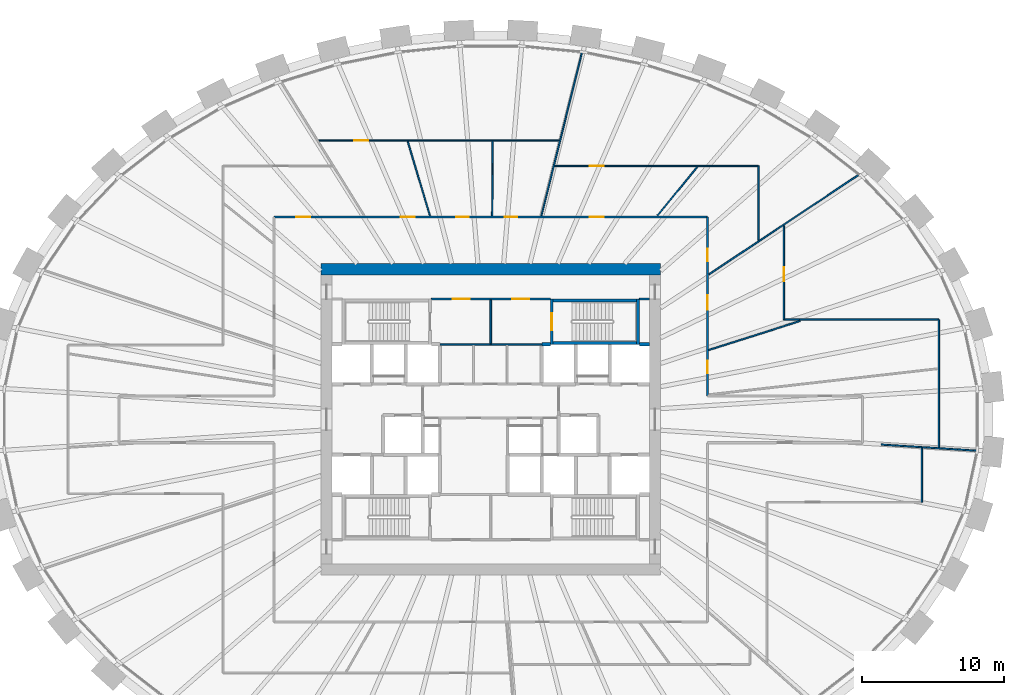
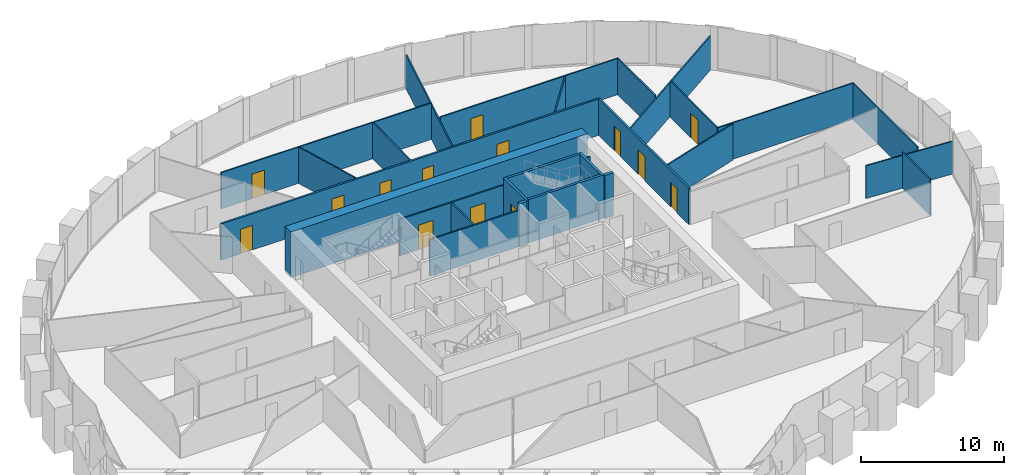
# One storey, part 9 of 11: 27 walls, 14 doors, 14 openings.
"""IFC4 building model written with IfcOpenShell, lengths in metres."""

from ifc_helpers import new_model, si_unit, direction, frame, frame_2d, origin, place, context, subcontext, project, spatial, rectangle, extrude, source, transform, mapped, material, layer, layer_set, type_object, element, fill, save


model = new_model("IFC4")

# Units and contexts
model_context = context("Model", 3, precision=1e-05, world=origin(), true_north=direction((0.0, 1.0)))
body_context = subcontext(model_context, "Body", "Model", "MODEL_VIEW")
ifc_project = project(units=[si_unit("LENGTHUNIT", "METRE"), si_unit("AREAUNIT", "SQUARE_METRE"), si_unit("VOLUMEUNIT", "CUBIC_METRE"), si_unit("PLANEANGLEUNIT", "RADIAN"), si_unit("MASSUNIT", "GRAM", prefix="KILO")], contexts=[model_context])

# Site, building, storey
site_placement = place(None, origin())
site = spatial("IfcSite", under=ifc_project, at=site_placement, CompositionType="ELEMENT")
building_placement = place(site_placement, origin())
building = spatial("IfcBuilding", under=site, at=building_placement, Name="Embergate Tower", CompositionType="ELEMENT")
storey_placement = place(building_placement, frame((0.0, 0.0, 211.199951171875)))
storey = spatial("IfcBuildingStorey", under=building, at=storey_placement, Name="L48", CompositionType="ELEMENT", Elevation=211.199951171875)

# Walls
ifc_material_1 = material(Name="Concrete C70", Category="concrete")
ifc_layer_1 = layer(ifc_material_1, 0.800048828125)
ifc_layer_set_1 = layer_set([ifc_layer_1], Name="Concrete C70")
wall_type_1 = type_object("IfcWallType", Name="Core outer wall C70 800", PredefinedType="SHEAR", material=ifc_layer_set_1)
shared_shape_1 = source(origin(), body_context, "Body", "SweptSolid", [
    extrude(rectangle(XDim=24.0, YDim=0.800048828125, at=frame_2d((12.0, 0.0))), origin(), (0.0, 0.0, 1.0), 3.89990234375),
])
wall_1_placement = place(storey_placement, frame((-12.0, 10.60009765625, -0.199951171875), z_axis=(0.0, 0.0, 1.0), x_axis=(1.0, 0.0, 0.0)))
element("IfcWall", 1, at=wall_1_placement, inside=storey, type_object=wall_type_1, Name="CW-L48-N", PredefinedType="SHEAR", context=body_context, shape_type="MappedRepresentation", body=[
    mapped(shared_shape_1, transform((0.0, 0.0, 0.0))),
])
ifc_material_2 = material(Name="Concrete C50", Category="concrete")
ifc_layer_2 = layer(ifc_material_2, 0.199951171875)
ifc_layer_set_2 = layer_set([ifc_layer_2], Name="Concrete C50")
wall_type_2 = type_object("IfcWallType", Name="Stair enclosure wall reinforced concrete 250", PredefinedType="SHEAR", material=ifc_layer_set_2)
shared_shape_2 = source(origin(), body_context, "Body", "SweptSolid", [
    extrude(rectangle(XDim=6.300048828125, YDim=0.199951171875, at=frame_2d((3.14990234375, 0.0))), origin(), (0.0, 0.0, 1.0), 3.699951171875),
])
for number, where, z_axis, x_axis, name in (
    (2, (10.5, 5.39990234375, 0.0), (0.0, 0.0, 1.0), (-1.0, 0.0, 0.0), "SE-1 wall"),
    (3, (10.5, 8.39990234375, 0.0), (0.0, 0.0, 1.0), (-1.0, 0.0, 0.0), "SE-1 wall"),
):
    element("IfcWall", number, at=place(storey_placement, frame(where, z_axis=z_axis, x_axis=x_axis)), inside=storey, type_object=wall_type_2, Name=name, PredefinedType="SHEAR", context=body_context, shape_type="MappedRepresentation", body=[
        mapped(shared_shape_2, transform((0.0, 0.0, 0.0))),
    ])

# Wall, opening, door
shared_shape_3 = source(origin(), body_context, "Body", "SweptSolid", [
    extrude(rectangle(XDim=3.199951171875, YDim=0.199951171875, at=frame_2d((1.60009765625, 0.0))), origin(), (0.0, 0.0, 1.0), 3.699951171875),
])
wall_2_placement = place(storey_placement, frame((4.300048828125, 8.5, 0.0), z_axis=(0.0, 0.0, 1.0), x_axis=(0.0, -1.0, 0.0)))
wall_2 = element("IfcWall", 4, at=wall_2_placement, inside=storey, type_object=wall_type_2, Name="SE-1 wall", PredefinedType="SHEAR", context=body_context, shape_type="MappedRepresentation", body=[
    mapped(shared_shape_3, transform((0.0, 0.0, 0.0))),
])
shared_shape_4 = source(origin(), body_context, "Body", "SweptSolid", [
    extrude(rectangle(XDim=1.199951171875, YDim=2.10009765625, at=frame_2d((0.60009765625, 1.050048828125))), frame((0.0, 0.10986328125, 0.0), z_axis=(0.0, -1.0, 0.0), x_axis=(1.0, 0.0, 0.0)), (0.0, 0.0, 1.0), 0.219970703125),
])
opening_1_placement = place(wall_2_placement, frame((1.0, 0.0, 0.0)))
opening_1 = element("IfcOpeningElement", 5, at=opening_1_placement, cuts=wall_2, Name="Opening IF-2", PredefinedType="OPENING", context=body_context, shape_type="MappedRepresentation", body=[
    mapped(shared_shape_4, transform((0.0, 0.0, 0.0))),
])
ifc_material_3 = material(Name="Stair enclosure door 1200")
door_type_1 = type_object("IfcDoorType", Name="Stair enclosure door 1200", OperationType="SINGLE_SWING_LEFT", PredefinedType="DOOR", material=ifc_material_3)
shared_shape_5 = source(origin(), body_context, "Body", "SweptSolid", [
    extrude(rectangle(XDim=1.199951171875, YDim=2.10009765625, at=frame_2d((0.60009765625, 1.050048828125))), frame((0.0, 0.02490234375, 0.0), z_axis=(0.0, -1.0, 0.0), x_axis=(1.0, 0.0, 0.0)), (0.0, 0.0, 1.0), 0.050048828125),
])
door_1_placement = place(opening_1_placement, origin())
door_1 = element("IfcDoor", 6, at=door_1_placement, inside=storey, type_object=door_type_1, Name="IF-2 door", OperationType="SINGLE_SWING_RIGHT", OverallHeight=2.10009765625, OverallWidth=1.199951171875, PredefinedType="DOOR", context=body_context, shape_type="MappedRepresentation", body=[
    mapped(shared_shape_5, transform((0.0, 0.0, 0.0))),
])
fill(opening_1, door_1)

# Wall, openings, doors
ifc_material_4 = material(Name="Core partition blockwork 120")
ifc_layer_3 = layer(ifc_material_4, 0.1201171875)
ifc_layer_set_3 = layer_set([ifc_layer_3], Name="Core partition blockwork 120")
wall_type_3 = type_object("IfcWallType", Name="Core partition blockwork 120", PredefinedType="PARTITIONING", material=ifc_layer_set_3)
shared_shape_6 = source(origin(), body_context, "Body", "SweptSolid", [
    extrude(rectangle(XDim=8.39990234375, YDim=0.1201171875, at=frame_2d((4.199951171875, 0.0))), origin(), (0.0, 0.0, 1.0), 3.10009765625),
])
wall_3_placement = place(storey_placement, frame((4.199951171875, 8.5, 0.0), z_axis=(0.0, 0.0, 1.0), x_axis=(-1.0, 0.0, 0.0)))
wall_3 = element("IfcWall", 7, at=wall_3_placement, inside=storey, type_object=wall_type_3, Name="IP-3 wall", PredefinedType="PARTITIONING", context=body_context, shape_type="MappedRepresentation", body=[
    mapped(shared_shape_6, transform((0.0, 0.0, 0.0))),
])
shared_shape_7 = source(origin(), body_context, "Body", "SweptSolid", [
    extrude(rectangle(XDim=1.199951171875, YDim=2.10009765625, at=frame_2d((0.60009765625, 1.050048828125))), frame((0.0, 0.070068359375, 0.0), z_axis=(0.0, -1.0, 0.0), x_axis=(1.0, 0.0, 0.0)), (0.0, 0.0, 1.0), 0.14013671875),
])
opening_2_placement = place(wall_3_placement, frame((5.699951171875, 0.0, 0.0)))
opening_2 = element("IfcOpeningElement", 8, at=opening_2_placement, cuts=wall_3, Name="Opening IF-3f", PredefinedType="OPENING", context=body_context, shape_type="MappedRepresentation", body=[
    mapped(shared_shape_7, transform((0.0, 0.0, 0.0))),
])
opening_3_placement = place(wall_3_placement, frame((1.5, 0.0, 0.0)))
opening_3 = element("IfcOpeningElement", 9, at=opening_3_placement, cuts=wall_3, Name="Opening IF-3f", PredefinedType="OPENING", context=body_context, shape_type="MappedRepresentation", body=[
    mapped(shared_shape_7, transform((0.0, 0.0, 0.0))),
])
ifc_material_5 = material(Name="Lobby fire door pair 1200")
door_type_2 = type_object("IfcDoorType", Name="Lobby fire door pair 1200", OperationType="DOUBLE_DOOR_SINGLE_SWING", PredefinedType="DOOR", material=ifc_material_5)
door_2_placement = place(opening_2_placement, origin())
door_2 = element("IfcDoor", 10, at=door_2_placement, inside=storey, type_object=door_type_2, Name="IF-3 door", OperationType="DOUBLE_DOOR_SINGLE_SWING", OverallHeight=2.10009765625, OverallWidth=1.199951171875, PredefinedType="DOOR", context=body_context, shape_type="MappedRepresentation", body=[
    mapped(shared_shape_5, transform((0.0, 0.0, 0.0))),
])
fill(opening_2, door_2)
door_3_placement = place(opening_3_placement, origin())
door_3 = element("IfcDoor", 11, at=door_3_placement, inside=storey, type_object=door_type_2, Name="IF-3 door", OperationType="DOUBLE_DOOR_SINGLE_SWING", OverallHeight=2.10009765625, OverallWidth=1.199951171875, PredefinedType="DOOR", context=body_context, shape_type="MappedRepresentation", body=[
    mapped(shared_shape_5, transform((0.0, 0.0, 0.0))),
])
fill(opening_3, door_3)

# Walls
ifc_material_6 = material(Name="Partition dry-lined 100")
ifc_layer_4 = layer(ifc_material_6, 0.10009765625)
ifc_layer_set_4 = layer_set([ifc_layer_4], Name="Partition dry-lined 100")
wall_type_4 = type_object("IfcWallType", Name="Partition dry-lined 100", PredefinedType="PARTITIONING", material=ifc_layer_set_4)
shared_shape_8 = source(origin(), body_context, "Body", "SweptSolid", [
    extrude(rectangle(XDim=10.949951171875, YDim=0.10009765625, at=frame_2d((5.47509765625, 0.0))), origin(), (0.0, 0.0, 1.0), 3.10009765625),
])
wall_4_placement = place(storey_placement, frame((20.699951171875, 7.050048828125, 0.0), z_axis=(0.0, 0.0, 1.0), x_axis=(1.0, 0.0, 0.0)))
element("IfcWall", 12, at=wall_4_placement, inside=storey, type_object=wall_type_4, Name="IP-1 wall", PredefinedType="PARTITIONING", context=body_context, shape_type="MappedRepresentation", body=[
    mapped(shared_shape_8, transform((0.0, 0.0, 0.0))),
])
ifc_layer_5 = layer(ifc_material_2, 0.25)
ifc_layer_set_5 = layer_set([ifc_layer_5], Name="Concrete C50")
wall_type_5 = type_object("IfcWallType", Name="Hoistway wall reinforced concrete 250", PredefinedType="SHEAR", material=ifc_layer_set_5)
shared_shape_9 = source(origin(), body_context, "Body", "SweptSolid", [
    extrude(rectangle(XDim=0.599853515625, YDim=0.25, at=frame_2d((0.2998046875, 0.0))), origin(), (0.0, 0.0, 1.0), 3.699951171875),
])
wall_5_placement = place(storey_placement, frame((4.199951171875, 5.300048828125, 0.0), z_axis=(0.0, 0.0, 1.0), x_axis=(-1.0, 0.0, 0.0)))
element("IfcWall", 13, at=wall_5_placement, inside=storey, type_object=wall_type_5, Name="HW-1 wall", PredefinedType="SHEAR", context=body_context, shape_type="MappedRepresentation", body=[
    mapped(shared_shape_9, transform((0.0, 0.0, 0.0))),
])
shared_shape_10 = source(origin(), body_context, "Body", "SweptSolid", [
    extrude(rectangle(XDim=7.2001953125, YDim=0.1201171875, at=frame_2d((3.60009765625, 0.0))), origin(), (0.0, 0.0, 1.0), 3.10009765625),
])
wall_6_placement = place(storey_placement, frame((-3.60009765625, 5.300048828125, 0.0), z_axis=(0.0, 0.0, 1.0), x_axis=(1.0, 0.0, 0.0)))
element("IfcWall", 14, at=wall_6_placement, inside=storey, type_object=wall_type_3, Name="IP-3 wall", PredefinedType="PARTITIONING", context=body_context, shape_type="MappedRepresentation", body=[
    mapped(shared_shape_10, transform((0.0, 0.0, 0.0))),
])
shared_shape_11 = source(origin(), body_context, "Body", "SweptSolid", [
    extrude(rectangle(XDim=3.079833984375, YDim=0.1201171875, at=frame_2d((1.5400390625, 0.0))), origin(), (0.0, 0.0, 1.0), 3.10009765625),
])
wall_7_placement = place(storey_placement, frame((0.0, 5.360107421875, 0.0), z_axis=(0.0, 0.0, 1.0), x_axis=(0.0, 1.0, 0.0)))
element("IfcWall", 15, at=wall_7_placement, inside=storey, type_object=wall_type_3, Name="IP-3 wall", PredefinedType="PARTITIONING", context=body_context, shape_type="MappedRepresentation", body=[
    mapped(shared_shape_11, transform((0.0, 0.0, 0.0))),
])
shared_shape_12 = source(origin(), body_context, "Body", "SweptSolid", [
    extrude(rectangle(XDim=3.196044921875, YDim=0.199951171875, at=frame_2d((1.59814453125, 0.0))), origin(), (0.0, 0.0, 1.0), 3.699951171875),
])
wall_8_placement = place(storey_placement, frame((10.39990234375, 5.302001953125, 0.0), z_axis=(0.0, 0.0, 1.0), x_axis=(0.0, 1.0, 0.0)))
element("IfcWall", 16, at=wall_8_placement, inside=storey, type_object=wall_type_2, Name="SE-1 wall", PredefinedType="SHEAR", context=body_context, shape_type="MappedRepresentation", body=[
    mapped(shared_shape_12, transform((0.0, 0.0, 0.0))),
])
shared_shape_13 = source(origin(), body_context, "Body", "SweptSolid", [
    extrude(rectangle(XDim=0.697998046875, YDim=0.25, at=frame_2d((0.34912109375, 0.0))), origin(), (0.0, 0.0, 1.0), 3.699951171875),
])
wall_9_placement = place(storey_placement, frame((11.199951171875, 5.300048828125, 0.0), z_axis=(0.0, 0.0, 1.0), x_axis=(-1.0, 0.0, 0.0)))
element("IfcWall", 17, at=wall_9_placement, inside=storey, type_object=wall_type_5, Name="HW-1 wall", PredefinedType="SHEAR", context=body_context, shape_type="MappedRepresentation", body=[
    mapped(shared_shape_13, transform((0.0, 0.0, 0.0))),
])
shared_shape_14 = source(origin(), body_context, "Body", "SweptSolid", [
    extrude(rectangle(XDim=0.697998046875, YDim=0.1201171875, at=frame_2d((0.34912109375, 0.0))), origin(), (0.0, 0.0, 1.0), 3.10009765625),
])
wall_10_placement = place(storey_placement, frame((10.501953125, 8.5, 0.0), z_axis=(0.0, 0.0, 1.0), x_axis=(1.0, 0.0, 0.0)))
element("IfcWall", 18, at=wall_10_placement, inside=storey, type_object=wall_type_3, Name="IP-3 wall", PredefinedType="PARTITIONING", context=body_context, shape_type="MappedRepresentation", body=[
    mapped(shared_shape_14, transform((0.0, 0.0, 0.0))),
])

# Wall, openings, doors
ifc_material_7 = material(Name="Corridor wall dry-lined 150")
ifc_layer_6 = layer(ifc_material_7, 0.14990234375)
ifc_layer_set_6 = layer_set([ifc_layer_6], Name="Corridor wall dry-lined 150")
wall_type_6 = type_object("IfcWallType", Name="Corridor wall dry-lined 150", PredefinedType="PARTITIONING", material=ifc_layer_set_6)
shared_shape_15 = source(origin(), body_context, "Body", "SweptSolid", [
    extrude(rectangle(XDim=30.60009765625, YDim=0.14990234375, at=frame_2d((15.300048828125, 0.0))), origin(), (0.0, 0.0, 1.0), 3.10009765625),
])
wall_11_placement = place(storey_placement, frame((-15.300048828125, 14.300048828125, 0.0), z_axis=(0.0, 0.0, 1.0), x_axis=(1.0, 0.0, 0.0)))
wall_11 = element("IfcWall", 19, at=wall_11_placement, inside=storey, type_object=wall_type_6, Name="IP-2 wall", PredefinedType="PARTITIONING", context=body_context, shape_type="MappedRepresentation", body=[
    mapped(shared_shape_15, transform((0.0, 0.0, 0.0))),
])
shared_shape_16 = source(origin(), body_context, "Body", "SweptSolid", [
    extrude(rectangle(XDim=1.0, YDim=2.10009765625, at=frame_2d((0.5, 1.050048828125))), frame((0.0, 0.0849609375, 0.0), z_axis=(0.0, -1.0, 0.0), x_axis=(1.0, 0.0, 0.0)), (0.0, 0.0, 1.0), 0.169921875),
])
opening_4_placement = place(wall_11_placement, frame((22.2900390625, 0.0, 0.0)))
opening_4 = element("IfcOpeningElement", 20, at=opening_4_placement, cuts=wall_11, Name="Opening ID-2", PredefinedType="OPENING", context=body_context, shape_type="MappedRepresentation", body=[
    mapped(shared_shape_16, transform((0.0, 0.0, 0.0))),
])
shared_shape_17 = source(origin(), body_context, "Body", "SweptSolid", [
    extrude(rectangle(XDim=0.89990234375, YDim=2.10009765625, at=frame_2d((0.449951171875, 1.050048828125))), frame((0.0, 0.0849609375, 0.0), z_axis=(0.0, -1.0, 0.0), x_axis=(1.0, 0.0, 0.0)), (0.0, 0.0, 1.0), 0.169921875),
])
opening_5_placement = place(wall_11_placement, frame((16.283935546875, 0.0, 0.0)))
opening_5 = element("IfcOpeningElement", 21, at=opening_5_placement, cuts=wall_11, Name="Opening IF-1c", PredefinedType="OPENING", context=body_context, shape_type="MappedRepresentation", body=[
    mapped(shared_shape_17, transform((0.0, 0.0, 0.0))),
])
opening_6_placement = place(wall_11_placement, frame((12.84912109375, 0.0, 0.0)))
opening_6 = element("IfcOpeningElement", 22, at=opening_6_placement, cuts=wall_11, Name="Opening IF-1c", PredefinedType="OPENING", context=body_context, shape_type="MappedRepresentation", body=[
    mapped(shared_shape_17, transform((0.0, 0.0, 0.0))),
])
opening_7_placement = place(wall_11_placement, frame((8.945068359375, 0.0, 0.0)))
opening_7 = element("IfcOpeningElement", 23, at=opening_7_placement, cuts=wall_11, Name="Opening ID-2", PredefinedType="OPENING", context=body_context, shape_type="MappedRepresentation", body=[
    mapped(shared_shape_16, transform((0.0, 0.0, 0.0))),
])
opening_8_placement = place(wall_11_placement, frame((1.552001953125, 0.0, 0.0)))
opening_8 = element("IfcOpeningElement", 24, at=opening_8_placement, cuts=wall_11, Name="Opening ID-2", PredefinedType="OPENING", context=body_context, shape_type="MappedRepresentation", body=[
    mapped(shared_shape_16, transform((0.0, 0.0, 0.0))),
])
ifc_material_8 = material(Name="Escape fire door 900")
door_type_3 = type_object("IfcDoorType", Name="Escape fire door 900", OperationType="SINGLE_SWING_LEFT", PredefinedType="DOOR", material=ifc_material_8)
shared_shape_18 = source(origin(), body_context, "Body", "SweptSolid", [
    extrude(rectangle(XDim=0.89990234375, YDim=2.10009765625, at=frame_2d((0.449951171875, 1.050048828125))), frame((0.0, 0.02490234375, 0.0), z_axis=(0.0, -1.0, 0.0), x_axis=(1.0, 0.0, 0.0)), (0.0, 0.0, 1.0), 0.050048828125),
])
door_4_placement = place(opening_5_placement, origin())
door_4 = element("IfcDoor", 25, at=door_4_placement, inside=storey, type_object=door_type_3, Name="IF-1 door", OperationType="SINGLE_SWING_RIGHT", OverallHeight=2.10009765625, OverallWidth=0.89990234375, PredefinedType="DOOR", context=body_context, shape_type="MappedRepresentation", body=[
    mapped(shared_shape_18, transform((0.0, 0.0, 0.0))),
])
fill(opening_5, door_4)
door_5_placement = place(opening_6_placement, origin())
door_5 = element("IfcDoor", 26, at=door_5_placement, inside=storey, type_object=door_type_3, Name="IF-1 door", OperationType="SINGLE_SWING_LEFT", OverallHeight=2.10009765625, OverallWidth=0.89990234375, PredefinedType="DOOR", context=body_context, shape_type="MappedRepresentation", body=[
    mapped(shared_shape_18, transform((0.0, 0.0, 0.0))),
])
fill(opening_6, door_5)
ifc_material_9 = material(Name="Interior door 1000")
door_type_4 = type_object("IfcDoorType", Name="Interior door 1000", OperationType="SINGLE_SWING_LEFT", PredefinedType="DOOR", material=ifc_material_9)
shared_shape_19 = source(origin(), body_context, "Body", "SweptSolid", [
    extrude(rectangle(XDim=1.0, YDim=2.10009765625, at=frame_2d((0.5, 1.050048828125))), frame((0.0, 0.02490234375, 0.0), z_axis=(0.0, -1.0, 0.0), x_axis=(1.0, 0.0, 0.0)), (0.0, 0.0, 1.0), 0.050048828125),
])
door_6_placement = place(opening_4_placement, origin())
door_6 = element("IfcDoor", 27, at=door_6_placement, inside=storey, type_object=door_type_4, Name="ID-2 door", OperationType="SINGLE_SWING_RIGHT", OverallHeight=2.10009765625, OverallWidth=1.0, PredefinedType="DOOR", context=body_context, shape_type="MappedRepresentation", body=[
    mapped(shared_shape_19, transform((0.0, 0.0, 0.0))),
])
fill(opening_4, door_6)
door_7_placement = place(opening_7_placement, origin())
door_7 = element("IfcDoor", 28, at=door_7_placement, inside=storey, type_object=door_type_4, Name="ID-2 door", OperationType="SINGLE_SWING_LEFT", OverallHeight=2.10009765625, OverallWidth=1.0, PredefinedType="DOOR", context=body_context, shape_type="MappedRepresentation", body=[
    mapped(shared_shape_19, transform((0.0, 0.0, 0.0))),
])
fill(opening_7, door_7)
door_8_placement = place(opening_8_placement, origin())
door_8 = element("IfcDoor", 29, at=door_8_placement, inside=storey, type_object=door_type_4, Name="ID-2 door", OperationType="SINGLE_SWING_RIGHT", OverallHeight=2.10009765625, OverallWidth=1.0, PredefinedType="DOOR", context=body_context, shape_type="MappedRepresentation", body=[
    mapped(shared_shape_19, transform((0.0, 0.0, 0.0))),
])
fill(opening_8, door_8)

shared_shape_20 = source(origin(), body_context, "Body", "SweptSolid", [
    extrude(rectangle(XDim=12.650146484375, YDim=0.14990234375, at=frame_2d((6.3251953125, 0.0))), origin(), (0.0, 0.0, 1.0), 3.10009765625),
])
wall_12_placement = place(storey_placement, frame((15.300048828125, 1.64990234375, 0.0), z_axis=(0.0, 0.0, 1.0), x_axis=(0.0, 1.0, 0.0)))
wall_12 = element("IfcWall", 30, at=wall_12_placement, inside=storey, type_object=wall_type_6, Name="IP-2 wall", PredefinedType="PARTITIONING", context=body_context, shape_type="MappedRepresentation", body=[
    mapped(shared_shape_20, transform((0.0, 0.0, 0.0))),
])
opening_9_placement = place(wall_12_placement, frame((1.594970703125, 0.0, 0.0)))
opening_9 = element("IfcOpeningElement", 31, at=opening_9_placement, cuts=wall_12, Name="Opening IF-1c", PredefinedType="OPENING", context=body_context, shape_type="MappedRepresentation", body=[
    mapped(shared_shape_17, transform((0.0, 0.0, 0.0))),
])
opening_10_placement = place(wall_12_placement, frame((6.112060546875, 0.0, 0.0)))
opening_10 = element("IfcOpeningElement", 32, at=opening_10_placement, cuts=wall_12, Name="Opening ID-2", PredefinedType="OPENING", context=body_context, shape_type="MappedRepresentation", body=[
    mapped(shared_shape_16, transform((0.0, 0.0, 0.0))),
])
opening_11_placement = place(wall_12_placement, frame((9.506103515625, 0.0, 0.0)))
opening_11 = element("IfcOpeningElement", 33, at=opening_11_placement, cuts=wall_12, Name="Opening IF-1c", PredefinedType="OPENING", context=body_context, shape_type="MappedRepresentation", body=[
    mapped(shared_shape_17, transform((0.0, 0.0, 0.0))),
])
door_9_placement = place(opening_9_placement, origin())
door_9 = element("IfcDoor", 34, at=door_9_placement, inside=storey, type_object=door_type_3, Name="IF-1 door", OperationType="SINGLE_SWING_LEFT", OverallHeight=2.10009765625, OverallWidth=0.89990234375, PredefinedType="DOOR", context=body_context, shape_type="MappedRepresentation", body=[
    mapped(shared_shape_18, transform((0.0, 0.0, 0.0))),
])
fill(opening_9, door_9)
door_10_placement = place(opening_11_placement, origin())
door_10 = element("IfcDoor", 35, at=door_10_placement, inside=storey, type_object=door_type_3, Name="IF-1 door", OperationType="SINGLE_SWING_RIGHT", OverallHeight=2.10009765625, OverallWidth=0.89990234375, PredefinedType="DOOR", context=body_context, shape_type="MappedRepresentation", body=[
    mapped(shared_shape_18, transform((0.0, 0.0, 0.0))),
])
fill(opening_11, door_10)
door_11_placement = place(opening_10_placement, origin())
door_11 = element("IfcDoor", 36, at=door_11_placement, inside=storey, type_object=door_type_4, Name="ID-2 door", OperationType="SINGLE_SWING_LEFT", OverallHeight=2.10009765625, OverallWidth=1.0, PredefinedType="DOOR", context=body_context, shape_type="MappedRepresentation", body=[
    mapped(shared_shape_19, transform((0.0, 0.0, 0.0))),
])
fill(opening_10, door_11)

# Walls
shared_shape_21 = source(origin(), body_context, "Body", "SweptSolid", [
    extrude(rectangle(XDim=3.839111328125, YDim=0.10009765625, at=frame_2d((1.91943359375, 0.0))), origin(), (0.0, 0.0, 1.0), 3.10009765625),
])
wall_13_placement = place(storey_placement, frame((30.449951171875, -2.010986328125, 0.0), z_axis=(0.0, 0.0, 1.0), x_axis=(0.0, -1.0, 0.0)))
element("IfcWall", 37, at=wall_13_placement, inside=storey, type_object=wall_type_4, Name="IP-1 wall", PredefinedType="PARTITIONING", context=body_context, shape_type="MappedRepresentation", body=[
    mapped(shared_shape_21, transform((0.0, 0.0, 0.0))),
])
shared_shape_22 = source(origin(), body_context, "Body", "SweptSolid", [
    extrude(rectangle(XDim=6.787841796875, YDim=0.10009765625, at=frame_2d((3.39404296875, 0.0))), origin(), (0.0, 0.0, 1.0), 2.800048828125),
])
wall_14_placement = place(storey_placement, frame((34.3359375, -2.2109375, 0.0), z_axis=(0.0, 0.0, 1.0), x_axis=(-0.997934690715, 0.064236695654, 0.0)))
element("IfcWall", 38, at=wall_14_placement, inside=storey, type_object=wall_type_4, Name="IP-1 wall", PredefinedType="PARTITIONING", context=body_context, shape_type="MappedRepresentation", body=[
    mapped(shared_shape_22, transform((0.0, 0.0, 0.0))),
])
shared_shape_23 = source(origin(), body_context, "Body", "SweptSolid", [
    extrude(rectangle(XDim=9.0380859375, YDim=0.10009765625, at=frame_2d((4.51904296875, 0.0))), origin(), (0.0, 0.0, 1.0), 3.10009765625),
])
wall_15_placement = place(storey_placement, frame((31.64990234375, 7.050048828125, 0.0), z_axis=(0.0, 0.0, 1.0), x_axis=(0.0, -1.0, 0.0)))
element("IfcWall", 39, at=wall_15_placement, inside=storey, type_object=wall_type_4, Name="IP-1 wall", PredefinedType="PARTITIONING", context=body_context, shape_type="MappedRepresentation", body=[
    mapped(shared_shape_23, transform((0.0, 0.0, 0.0))),
])
shared_shape_24 = source(origin(), body_context, "Body", "SweptSolid", [
    extrude(rectangle(XDim=6.77490234375, YDim=0.10009765625, at=frame_2d((3.387451171875, 0.0))), origin(), (0.0, 0.0, 1.0), 3.10009765625),
])
wall_16_placement = place(storey_placement, frame((15.389892578125, 4.89794921875, 0.0), z_axis=(0.0, 0.0, 1.0), x_axis=(0.952936191356, 0.303170933969, 0.0)))
element("IfcWall", 40, at=wall_16_placement, inside=storey, type_object=wall_type_4, Name="IP-1 wall", PredefinedType="PARTITIONING", context=body_context, shape_type="MappedRepresentation", body=[
    mapped(shared_shape_24, transform((0.0, 0.0, 0.0))),
])

# Wall, opening, door
shared_shape_25 = source(origin(), body_context, "Body", "SweptSolid", [
    extrude(rectangle(XDim=6.619873046875, YDim=0.10009765625, at=frame_2d((3.31005859375, 0.0))), origin(), (0.0, 0.0, 1.0), 3.10009765625),
])
wall_17_placement = place(storey_placement, frame((20.699951171875, 7.050048828125, 0.0), z_axis=(0.0, 0.0, 1.0), x_axis=(0.0, 1.0, 0.0)))
wall_17 = element("IfcWall", 41, at=wall_17_placement, inside=storey, type_object=wall_type_4, Name="IP-1 wall", PredefinedType="PARTITIONING", context=body_context, shape_type="MappedRepresentation", body=[
    mapped(shared_shape_25, transform((0.0, 0.0, 0.0))),
])
shared_shape_26 = source(origin(), body_context, "Body", "SweptSolid", [
    extrude(rectangle(XDim=1.0, YDim=2.10009765625, at=frame_2d((0.5, 1.050048828125))), frame((0.0, 0.06005859375, 0.0), z_axis=(0.0, -1.0, 0.0), x_axis=(1.0, 0.0, 0.0)), (0.0, 0.0, 1.0), 0.1201171875),
])
opening_12_placement = place(wall_17_placement, frame((2.702880859375, 0.0, 0.0)))
opening_12 = element("IfcOpeningElement", 42, at=opening_12_placement, cuts=wall_17, Name="Opening ID-2", PredefinedType="OPENING", context=body_context, shape_type="MappedRepresentation", body=[
    mapped(shared_shape_26, transform((0.0, 0.0, 0.0))),
])
door_12_placement = place(opening_12_placement, origin())
door_12 = element("IfcDoor", 43, at=door_12_placement, inside=storey, type_object=door_type_4, Name="ID-2 door", OperationType="SINGLE_SWING_LEFT", OverallHeight=2.10009765625, OverallWidth=1.0, PredefinedType="DOOR", context=body_context, shape_type="MappedRepresentation", body=[
    mapped(shared_shape_19, transform((0.0, 0.0, 0.0))),
])
fill(opening_12, door_12)

# Walls
shared_shape_27 = source(origin(), body_context, "Body", "SweptSolid", [
    extrude(rectangle(XDim=12.753662109375, YDim=0.10009765625, at=frame_2d((6.376953125, 0.0))), origin(), (0.0, 0.0, 1.0), 2.900146484375),
])
wall_18_placement = place(storey_placement, frame((26.02294921875, 17.302978515625, 0.0), z_axis=(0.0, 0.0, 1.0), x_axis=(-0.832697640775, -0.553727946782, 0.0)))
element("IfcWall", 44, at=wall_18_placement, inside=storey, type_object=wall_type_4, Name="IP-1 wall", PredefinedType="PARTITIONING", context=body_context, shape_type="MappedRepresentation", body=[
    mapped(shared_shape_27, transform((0.0, 0.0, 0.0))),
])
shared_shape_28 = source(origin(), body_context, "Body", "SweptSolid", [
    extrude(rectangle(XDim=4.40625, YDim=0.10009765625, at=frame_2d((2.203125, 0.0))), origin(), (0.0, 0.0, 1.0), 3.10009765625),
])
wall_19_placement = place(storey_placement, frame((11.77587890625, 14.406982421875, 0.0), z_axis=(0.0, 0.0, 1.0), x_axis=(0.632984304521, 0.774164627343, 0.0)))
element("IfcWall", 45, at=wall_19_placement, inside=storey, type_object=wall_type_4, Name="IP-1 wall", PredefinedType="PARTITIONING", context=body_context, shape_type="MappedRepresentation", body=[
    mapped(shared_shape_28, transform((0.0, 0.0, 0.0))),
])

# Wall, opening, door
shared_shape_29 = source(origin(), body_context, "Body", "SweptSolid", [
    extrude(rectangle(XDim=14.389892578125, YDim=0.10009765625, at=frame_2d((7.19482421875, 0.0))), origin(), (0.0, 0.0, 1.0), 3.10009765625),
])
wall_20_placement = place(storey_placement, frame((4.510009765625, 17.89990234375, 0.0), z_axis=(0.0, 0.0, 1.0), x_axis=(1.0, 0.0, 0.0)))
wall_20 = element("IfcWall", 46, at=wall_20_placement, inside=storey, type_object=wall_type_4, Name="IP-1 wall", PredefinedType="PARTITIONING", context=body_context, shape_type="MappedRepresentation", body=[
    mapped(shared_shape_29, transform((0.0, 0.0, 0.0))),
])
opening_13_placement = place(wall_20_placement, frame((2.4677734375, 0.0, 0.0)))
opening_13 = element("IfcOpeningElement", 47, at=opening_13_placement, cuts=wall_20, Name="Opening ID-2", PredefinedType="OPENING", context=body_context, shape_type="MappedRepresentation", body=[
    mapped(shared_shape_26, transform((0.0, 0.0, 0.0))),
])
door_13_placement = place(opening_13_placement, origin())
door_13 = element("IfcDoor", 48, at=door_13_placement, inside=storey, type_object=door_type_4, Name="ID-2 door", OperationType="SINGLE_SWING_RIGHT", OverallHeight=2.10009765625, OverallWidth=1.0, PredefinedType="DOOR", context=body_context, shape_type="MappedRepresentation", body=[
    mapped(shared_shape_19, transform((0.0, 0.0, 0.0))),
])
fill(opening_13, door_13)

# Walls
shared_shape_30 = source(origin(), body_context, "Body", "SweptSolid", [
    extrude(rectangle(XDim=5.239990234375, YDim=0.10009765625, at=frame_2d((2.6201171875, 0.0))), origin(), (0.0, 0.0, 1.0), 3.10009765625),
])
wall_21_placement = place(storey_placement, frame((18.89990234375, 17.89990234375, 0.0), z_axis=(0.0, 0.0, 1.0), x_axis=(0.0, -1.0, 0.0)))
element("IfcWall", 49, at=wall_21_placement, inside=storey, type_object=wall_type_4, Name="IP-1 wall", PredefinedType="PARTITIONING", context=body_context, shape_type="MappedRepresentation", body=[
    mapped(shared_shape_30, transform((0.0, 0.0, 0.0))),
])
shared_shape_31 = source(origin(), body_context, "Body", "SweptSolid", [
    extrude(rectangle(XDim=11.911376953125, YDim=0.10009765625, at=frame_2d((5.95556640625, 0.0))), origin(), (0.0, 0.0, 1.0), 2.900146484375),
])
wall_22_placement = place(storey_placement, frame((3.573974609375, 14.386962890625, 0.0), z_axis=(0.0, 0.0, 1.0), x_axis=(0.241040289229, 0.970515110119, 0.0)))
element("IfcWall", 50, at=wall_22_placement, inside=storey, type_object=wall_type_4, Name="IP-1 wall", PredefinedType="PARTITIONING", context=body_context, shape_type="MappedRepresentation", body=[
    mapped(shared_shape_31, transform((0.0, 0.0, 0.0))),
])
shared_shape_32 = source(origin(), body_context, "Body", "SweptSolid", [
    extrude(rectangle(XDim=5.275146484375, YDim=0.10009765625, at=frame_2d((2.6376953125, 0.0))), origin(), (0.0, 0.0, 1.0), 3.10009765625),
])
wall_23_placement = place(storey_placement, frame((0.097900390625, 14.375, 0.0), z_axis=(0.0, 0.0, 1.0), x_axis=(0.006849788388, 0.999976539924, 0.0)))
element("IfcWall", 51, at=wall_23_placement, inside=storey, type_object=wall_type_4, Name="IP-1 wall", PredefinedType="PARTITIONING", context=body_context, shape_type="MappedRepresentation", body=[
    mapped(shared_shape_32, transform((0.0, 0.0, 0.0))),
])

# Wall, opening, door
shared_shape_33 = source(origin(), body_context, "Body", "SweptSolid", [
    extrude(rectangle(XDim=16.97900390625, YDim=0.10009765625, at=frame_2d((8.489501953125, 0.0))), origin(), (0.0, 0.0, 1.0), 3.10009765625),
])
wall_24_placement = place(storey_placement, frame((4.830078125, 19.699951171875, 0.0), z_axis=(0.0, 0.0, 1.0), x_axis=(-1.0, 0.0, 0.0)))
wall_24 = element("IfcWall", 52, at=wall_24_placement, inside=storey, type_object=wall_type_4, Name="IP-1 wall", PredefinedType="PARTITIONING", context=body_context, shape_type="MappedRepresentation", body=[
    mapped(shared_shape_33, transform((0.0, 0.0, 0.0))),
])
opening_14_placement = place(wall_24_placement, frame((13.486572265625, 0.0, 0.0)))
opening_14 = element("IfcOpeningElement", 53, at=opening_14_placement, cuts=wall_24, Name="Opening ID-2", PredefinedType="OPENING", context=body_context, shape_type="MappedRepresentation", body=[
    mapped(shared_shape_26, transform((0.0, 0.0, 0.0))),
])
door_14_placement = place(opening_14_placement, origin())
door_14 = element("IfcDoor", 54, at=door_14_placement, inside=storey, type_object=door_type_4, Name="ID-2 door", OperationType="SINGLE_SWING_RIGHT", OverallHeight=2.10009765625, OverallWidth=1.0, PredefinedType="DOOR", context=body_context, shape_type="MappedRepresentation", body=[
    mapped(shared_shape_19, transform((0.0, 0.0, 0.0))),
])
fill(opening_14, door_14)

# Wall
shared_shape_34 = source(origin(), body_context, "Body", "SweptSolid", [
    extrude(rectangle(XDim=5.47607421875, YDim=0.10009765625, at=frame_2d((2.738037109375, 0.0))), origin(), (0.0, 0.0, 1.0), 3.10009765625),
])
wall_25_placement = place(storey_placement, frame((-4.298095703125, 14.388916015625, 0.0), z_axis=(0.0, 0.0, 1.0), x_axis=(-0.286136947933, 0.958188732467, 0.0)))
element("IfcWall", 55, at=wall_25_placement, inside=storey, type_object=wall_type_4, Name="IP-1 wall", PredefinedType="PARTITIONING", context=body_context, shape_type="MappedRepresentation", body=[
    mapped(shared_shape_34, transform((0.0, 0.0, 0.0))),
])

save(model, "model.ifc")
